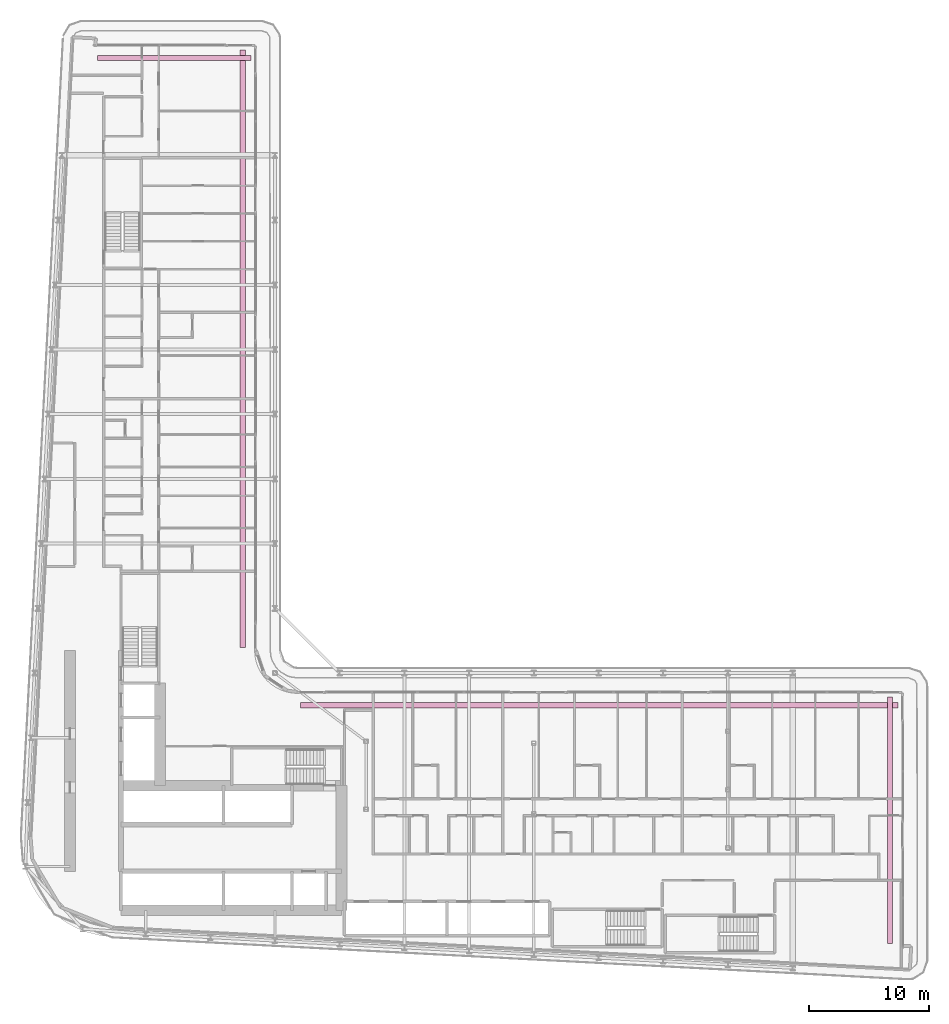
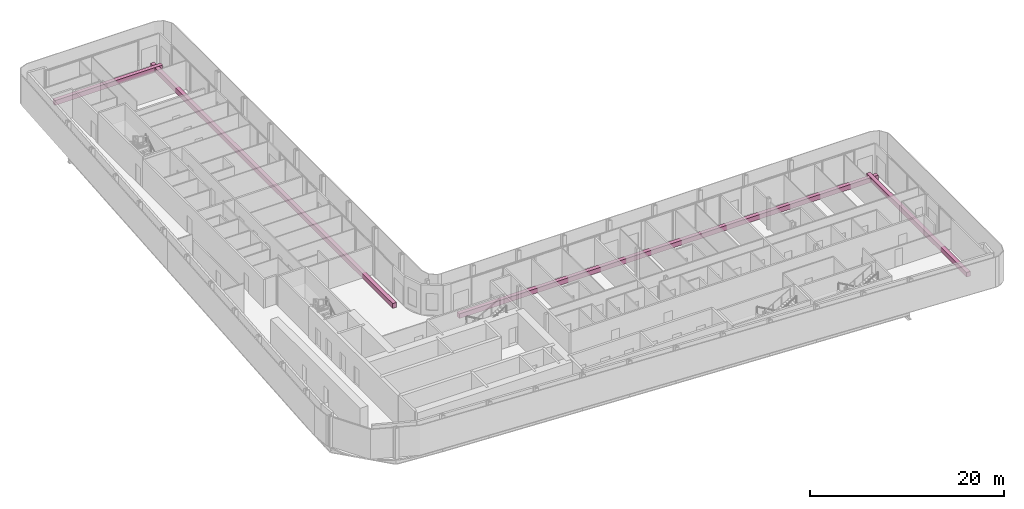
# One storey, part 29 of 29: 4 furniture elements.
"""IFC4 building model written with IfcOpenShell, lengths in metres."""

from ifc_helpers import new_model, si_unit, direction, frame, origin, origin_2d, place, context, subcontext, project, spatial, rectangle, extrude, material, type_object, element, save


model = new_model("IFC4")

# Units and contexts
model_context = context("Model", 3, precision=1e-05, world=origin(), true_north=direction((0.0, 1.0)))
body_context = subcontext(model_context, "Body", "Model", "MODEL_VIEW")
ifc_project = project(units=[si_unit("LENGTHUNIT", "METRE"), si_unit("AREAUNIT", "SQUARE_METRE"), si_unit("VOLUMEUNIT", "CUBIC_METRE"), si_unit("PLANEANGLEUNIT", "RADIAN"), si_unit("MASSUNIT", "GRAM", prefix="KILO")], contexts=[model_context])

# Site, building, storey
site_placement = place(None, origin())
site = spatial("IfcSite", under=ifc_project, at=site_placement, CompositionType="ELEMENT")
building_placement = place(site_placement, origin())
building = spatial("IfcBuilding", under=site, at=building_placement, Name="Kheshtan School and Residences Tower", CompositionType="ELEMENT")
storey_placement = place(building_placement, frame((0.0, 0.0, 117.5)))
storey = spatial("IfcBuildingStorey", under=building, at=storey_placement, Name="L27", CompositionType="ELEMENT", Elevation=117.5)

# Furniture
ifc_material = material(Name="Precast concrete C30/37 in terracotta finish", Category="masonry")
furniture_type = type_object("IfcFurnitureType", Name="Planter trough", AssemblyPlace="NOTDEFINED", PredefinedType="USERDEFINED", material=ifc_material)
furniture_1_placement = place(storey_placement, frame((39.196044921875, 96.925048828125, 0.0), z_axis=(0.0, 0.0, 1.0), x_axis=(1.0, 0.0, 0.0)))
element("IfcFurniture", 1, at=furniture_1_placement, inside=storey, type_object=furniture_type, Name="Planter L27", ObjectType="PLANTER", PredefinedType="USERDEFINED", context=body_context, shape_type="SweptSolid", body=[
    extrude(rectangle(XDim=12.80810546875, YDim=0.449951171875, at=origin_2d()), origin(), (0.0, 0.0, 1.0), 0.60009765625),
])
for number, where, z_axis, x_axis, name in (
    (2, (44.925048828125, 72.6650390625, 0.0), (0.0, 0.0, 1.0), (0.0, -1.0, 0.0), "Planter L27"),
    (3, (74.6650390625, 42.925048828125, 0.0), (0.0, 0.0, 1.0), (1.0, 0.0, 0.0), "Planter L27"),
):
    element("IfcFurniture", number, at=place(storey_placement, frame(where, z_axis=z_axis, x_axis=x_axis)), inside=storey, type_object=furniture_type, Name=name, ObjectType="PLANTER", PredefinedType="USERDEFINED", context=body_context, shape_type="SweptSolid", body=[
        extrude(rectangle(XDim=49.8701171875, YDim=0.449951171875, at=origin_2d()), origin(), (0.0, 0.0, 1.0), 0.60009765625),
    ])
furniture_2_placement = place(storey_placement, frame((98.925048828125, 33.306884765625, 0.0), z_axis=(0.0, 0.0, 1.0), x_axis=(0.0, -1.0, 0.0)))
element("IfcFurniture", 4, at=furniture_2_placement, inside=storey, type_object=furniture_type, Name="Planter L27", ObjectType="PLANTER", PredefinedType="USERDEFINED", context=body_context, shape_type="SweptSolid", body=[
    extrude(rectangle(XDim=20.5859375, YDim=0.449951171875, at=origin_2d()), origin(), (0.0, 0.0, 1.0), 0.60009765625),
])

save(model, "model.ifc")
